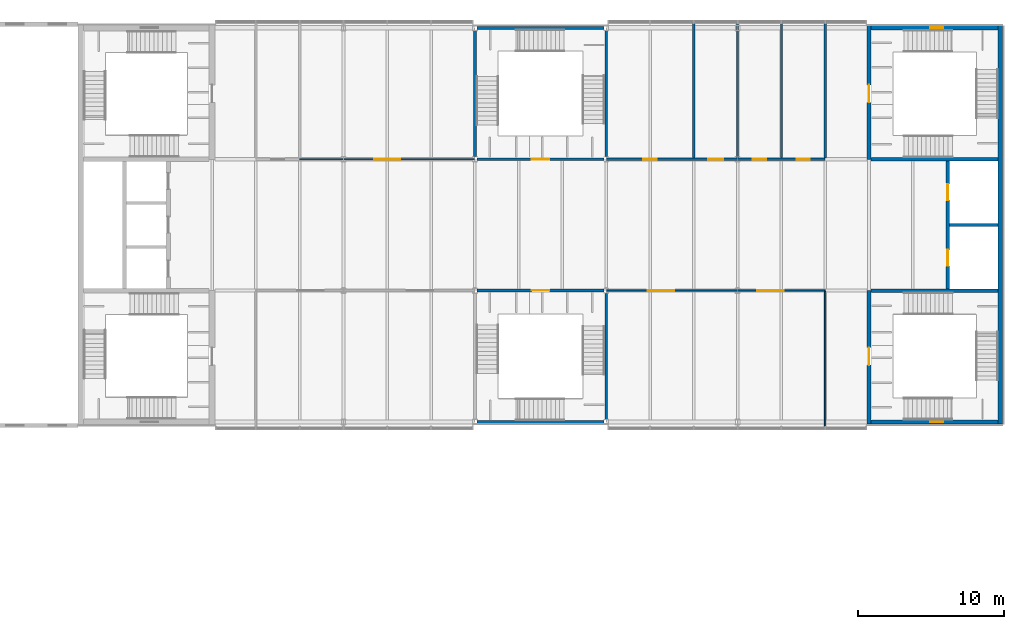
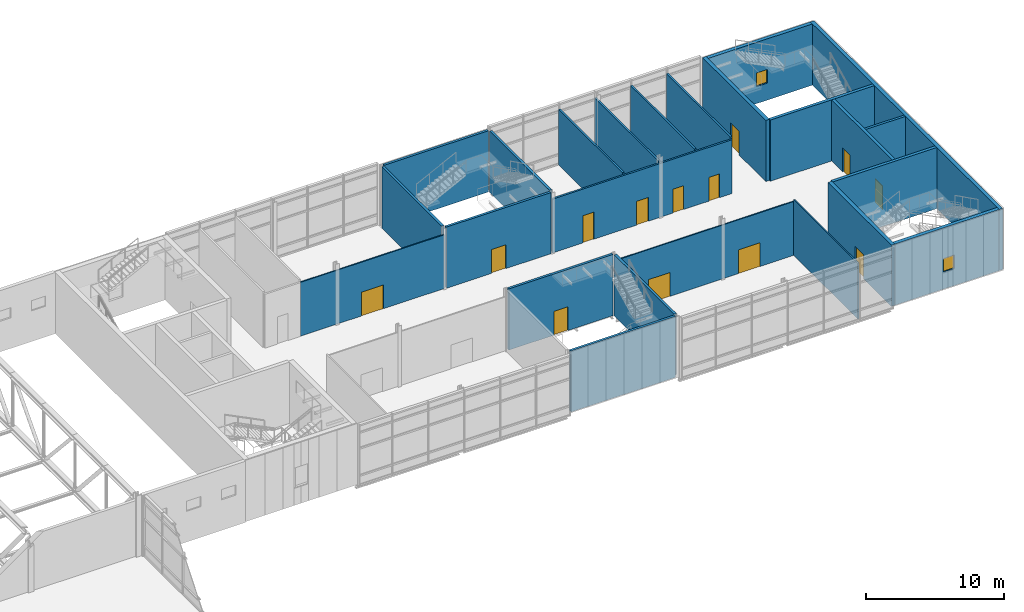
# One storey, part 41 of 53: 24 walls, 13 doors, 2 windows, 15 openings.
"""IFC4 building model written with IfcOpenShell, lengths in metres."""

import ifcopenshell
import ifcopenshell.guid

model = None  # the IFC model being written
_history = None  # IfcOwnerHistory: only IFC2X3 demands one
_inside = {}  # id of a spatial element -> (the spatial element, [elements in it])
_under = {}  # id of a project, library or spatial element -> (it, [spatial elements below it])
_declared = {}  # id of a project -> (the project, [libraries it declares])
_typed = {}  # id of a type object -> (the type object, [elements of that type])
_made_of = {}  # id of a material, layer set ... -> (it, [elements and type objects made of it])


def new_model(schema):
    """Start an empty IFC model of exactly this schema.

    Asked for "IFC4X3", IfcOpenShell would pick the latest addendum, in which some entities
    have other attributes; the version numbers below select the first issue.
    IFC2X3 requires an IfcOwnerHistory on every rooted entity: one is made here for all.
    """
    global model, _history
    if schema == "IFC4X3":
        model = ifcopenshell.file(schema_version=(4, 3, 0, 0))
    else:
        model = ifcopenshell.file(schema=schema)
    _inside.clear()
    _under.clear()
    _declared.clear()
    _typed.clear()
    _made_of.clear()
    _history = None
    if model.schema == "IFC2X3":
        org = make("IfcOrganization", Name="unknown")
        user = make(
            "IfcPersonAndOrganization",
            ThePerson=make("IfcPerson", FamilyName="unknown"),
            TheOrganization=org,
        )
        app = make(
            "IfcApplication",
            ApplicationDeveloper=org,
            Version="unknown",
            ApplicationFullName="unknown",
            ApplicationIdentifier="unknown",
        )
        _history = make(
            "IfcOwnerHistory",
            OwningUser=user,
            OwningApplication=app,
            ChangeAction="ADDED",
            CreationDate=0,
        )
    return model


def make(cls, **values):
    """One entity of the class cls with the attributes given. An attribute that is None is left unset."""
    return model.create_entity(
        cls, **{name: value for name, value in values.items() if value is not None}
    )


def rooted(cls, **values):
    """An entity with a GlobalId (a new one), such as an element, a storey or a relation."""
    return make(cls, GlobalId=ifcopenshell.guid.new(), OwnerHistory=_history, **values)


def si_unit(unit_type, name, prefix=None):
    """IfcSIUnit, for example si_unit("LENGTHUNIT", "METRE", prefix="MILLI")."""
    return make("IfcSIUnit", UnitType=unit_type, Prefix=prefix, Name=name)


def assignment(units):
    """IfcUnitAssignment: the units of a project."""
    return None if units is None else make("IfcUnitAssignment", Units=units)


def point(xyz):
    """IfcCartesianPoint."""
    return None if xyz is None else make("IfcCartesianPoint", Coordinates=xyz)


def direction(xyz):
    """IfcDirection."""
    return None if xyz is None else make("IfcDirection", DirectionRatios=xyz)


def frame(location, z_axis=None, x_axis=None):
    """IfcAxis2Placement3D, a coordinate frame: its origin and axes. An axis left out is left unset."""
    return make(
        "IfcAxis2Placement3D",
        Location=point(location),
        Axis=direction(z_axis),
        RefDirection=direction(x_axis),
    )


def frame_2d(location, x_axis=None):
    """IfcAxis2Placement2D, a coordinate frame in the plane: its origin and x axis."""
    return make(
        "IfcAxis2Placement2D", Location=point(location), RefDirection=direction(x_axis)
    )


def origin():
    """The frame at (0, 0, 0) with its axes left unset."""
    return frame((0.0, 0.0, 0.0))


def place(relative_to, where):
    """IfcLocalPlacement: puts the frame where relative to a parent placement (None: the world)."""
    return make(
        "IfcLocalPlacement", PlacementRelTo=relative_to, RelativePlacement=where
    )


def context(
    kind, dimensions, precision=None, world=None, true_north=None, identifier=None
):
    """IfcGeometricRepresentationContext, for example the 3D "Model" context."""
    return make(
        "IfcGeometricRepresentationContext",
        ContextIdentifier=identifier,
        ContextType=kind,
        CoordinateSpaceDimension=dimensions,
        Precision=precision,
        WorldCoordinateSystem=world,
        TrueNorth=true_north,
    )


def subcontext(parent, identifier, kind, view, scale=None):
    """IfcGeometricRepresentationSubContext, for example "Body" below "Model"."""
    return make(
        "IfcGeometricRepresentationSubContext",
        ContextIdentifier=identifier,
        ContextType=kind,
        ParentContext=parent,
        TargetScale=scale,
        TargetView=view,
    )


def project(units=None, contexts=None):
    """IfcProject with its units and contexts."""
    return rooted(
        "IfcProject",
        Name="project",
        RepresentationContexts=contexts,
        UnitsInContext=assignment(units),
    )


def spatial(cls, under=None, at=None, **own):
    """A site, building, storey or space (cls), placed at a placement, below another one or the project."""
    s = rooted(cls, ObjectPlacement=at, **own)
    if under is not None:
        _under.setdefault(under.id(), (under, []))[1].append(s)
    return s


def profile(cls, at=None, kind="AREA", **sizes):
    """A parametric profile (cls). Its sizes go by their IFC names, for example OverallWidth=200.0."""
    return make(cls, ProfileType=kind, Position=at, **sizes)


def rectangle(**sizes):
    """IfcRectangleProfileDef."""
    return profile("IfcRectangleProfileDef", **sizes)


def extrude(swept, where, along, depth):
    """IfcExtrudedAreaSolid: the profile swept, set in the frame where, extruded along a direction by depth."""
    return make(
        "IfcExtrudedAreaSolid",
        SweptArea=swept,
        Position=where,
        ExtrudedDirection=direction(along),
        Depth=depth,
    )


def shape(context_of_items, identifier, shape_type, items):
    """IfcShapeRepresentation: the items that make up one representation, for example the "Body"."""
    return make(
        "IfcShapeRepresentation",
        ContextOfItems=context_of_items,
        RepresentationIdentifier=identifier,
        RepresentationType=shape_type,
        Items=items,
    )


def material(Name=None, Category=None):
    """IfcMaterial."""
    return make("IfcMaterial", Name=Name, Category=Category)


def layer(
    of_material, thickness, ventilated=None, Name=None, Category=None, Priority=None
):
    """IfcMaterialLayer: one layer of a wall or slab, of a material (None: an air gap)."""
    return make(
        "IfcMaterialLayer",
        Material=of_material,
        LayerThickness=thickness,
        IsVentilated=ventilated,
        Name=Name,
        Category=Category,
        Priority=Priority,
    )


def layer_set(layers, Name=None):
    """IfcMaterialLayerSet."""
    return make("IfcMaterialLayerSet", MaterialLayers=layers, LayerSetName=Name)


def made_of(thing, what):
    """Note that an element or type object is made of a material, layer set ...; save() writes the relation."""
    if what is not None:
        _made_of.setdefault(what.id(), (what, []))[1].append(thing)
    return thing


def type_object(cls, material=None, **own):
    """A type object (cls), such as IfcWallType, which elements share."""
    return made_of(rooted(cls, **own), material)


def element(
    cls,
    number,
    at=None,
    inside=None,
    cuts=None,
    type_object=None,
    material=None,
    context=None,
    identifier="Body",
    shape_type=None,
    held_by="IfcProductDefinitionShape",
    body=None,
    shapes=None,
    **own,
):
    """One element of the class cls, such as IfcWall. Its Tag is "e" and its number.

    at: its placement. inside: the storey or other place that contains it. cuts: it is an
    opening in that element (IfcRelVoidsElement). A single representation is given by context,
    identifier, shape_type and body (its items); several are given by shapes. held_by: the class
    of the entity that holds the representations. save() writes the other relations.
    """
    e = rooted(cls, Tag="e%d" % number, ObjectPlacement=at, **own)
    if body is not None:
        shapes = [shape(context, identifier, shape_type, body)]
    if shapes is not None:
        e.Representation = make(held_by, Representations=shapes)
    if inside is not None:
        _inside.setdefault(inside.id(), (inside, []))[1].append(e)
    if cuts is not None:
        rooted(
            "IfcRelVoidsElement", RelatingBuildingElement=cuts, RelatedOpeningElement=e
        )
    if type_object is not None:
        _typed.setdefault(type_object.id(), (type_object, []))[1].append(e)
    return made_of(e, material)


def fill(opening, filler):
    """IfcRelFillsElement: the door or window that sits in an opening."""
    return rooted(
        "IfcRelFillsElement",
        RelatingOpeningElement=opening,
        RelatedBuildingElement=filler,
    )


def aggregate(whole, parts):
    """IfcRelAggregates: a whole, such as a stair, and the parts it consists of."""
    return rooted("IfcRelAggregates", RelatingObject=whole, RelatedObjects=parts)


def save(model, path):
    """Write the relations noted so far, then the file.

    IfcRelAggregates (storeys below a building ...), IfcRelContainedInSpatialStructure (elements
    in a storey), IfcRelDefinesByType, IfcRelAssociatesMaterial and IfcRelDeclares: one each for
    every whole, place, type object, material and project.
    """
    for whole, parts in _under.values():
        aggregate(whole, parts)
    for where, things in _inside.values():
        rooted(
            "IfcRelContainedInSpatialStructure",
            RelatedElements=things,
            RelatingStructure=where,
        )
    for kind, things in _typed.values():
        rooted("IfcRelDefinesByType", RelatedObjects=things, RelatingType=kind)
    for what, things in _made_of.values():
        rooted("IfcRelAssociatesMaterial", RelatedObjects=things, RelatingMaterial=what)
    for by, libraries in _declared.values():
        rooted("IfcRelDeclares", RelatingContext=by, RelatedDefinitions=libraries)
    model.write(path)


model = new_model("IFC4")

# Units and contexts
model_context = context("Model", 3, precision=1e-05, world=origin(), true_north=direction((0.0, 1.0)))
body_context = subcontext(model_context, "Body", "Model", "MODEL_VIEW")
ifc_project = project(units=[si_unit("LENGTHUNIT", "METRE"), si_unit("AREAUNIT", "SQUARE_METRE"), si_unit("VOLUMEUNIT", "CUBIC_METRE"), si_unit("PLANEANGLEUNIT", "RADIAN"), si_unit("MASSUNIT", "GRAM", prefix="KILO")], contexts=[model_context])

# Site, building, storey
site_placement = place(None, origin())
site = spatial("IfcSite", under=ifc_project, at=site_placement, CompositionType="ELEMENT")
building_placement = place(site_placement, origin())
building = spatial("IfcBuilding", under=site, at=building_placement, Name="Azimuth Sports and Learning Centre", CompositionType="ELEMENT")
storey_placement = place(building_placement, frame((0.0, 0.0, 10.800048828125)))
storey = spatial("IfcBuildingStorey", under=building, at=storey_placement, Name="L02", CompositionType="ELEMENT", Elevation=10.800048828125)

# Wall
ifc_material_1 = material(Name="Dense masonry blockwork", Category="masonry")
ifc_layer_1 = layer(ifc_material_1, 0.199951171875)
ifc_layer_set_1 = layer_set([ifc_layer_1], Name="Dense masonry blockwork")
wall_type_1 = type_object("IfcWallType", Name="Blockwork wall 200 EI 120", PredefinedType="SOLIDWALL", material=ifc_layer_set_1)
wall_1_placement = place(storey_placement, frame((167.52490234375, 103.5, 0.0), z_axis=(0.0, 0.0, 1.0), x_axis=(1.0, 0.0, 0.0)))
element("IfcWall", 1, at=wall_1_placement, inside=storey, type_object=wall_type_1, Name="SD-EW-1-L02", PredefinedType="SOLIDWALL", context=body_context, shape_type="SweptSolid", body=[
    extrude(rectangle(XDim=3.3251953125, YDim=0.199951171875, at=frame_2d((1.66259765625, 0.0))), origin(), (0.0, 0.0, 1.0), 5.39990234375),
])

# Wall, openings, doors
ifc_material_2 = material(Name="Gypsum board on steel studs", Category="steel")
ifc_layer_2 = layer(ifc_material_2, 0.10009765625)
ifc_layer_set_2 = layer_set([ifc_layer_2], Name="Gypsum board on steel studs")
wall_type_2 = type_object("IfcWallType", Name="Partition 100 EI 30", PredefinedType="PARTITIONING", material=ifc_layer_set_2)
wall_2_placement = place(storey_placement, frame((144.0, 99.0, 0.0), z_axis=(0.0, 0.0, 1.0), x_axis=(1.0, 0.0, 0.0)))
wall_2 = element("IfcWall", 2, at=wall_2_placement, inside=storey, type_object=wall_type_2, Name="Partition 100 EI 30", PredefinedType="PARTITIONING", context=body_context, shape_type="SweptSolid", body=[
    extrude(rectangle(XDim=15.0, YDim=0.10009765625, at=frame_2d((7.5, 0.0))), origin(), (0.0, 0.0, 1.0), 4.75),
])
opening_1_placement = place(wall_2_placement, frame((2.85009765625, 0.0, 0.0)))
opening_1 = element("IfcOpeningElement", 3, at=opening_1_placement, cuts=wall_2, Name="Opening D02-041", PredefinedType="OPENING", context=body_context, shape_type="SweptSolid", body=[
    extrude(rectangle(XDim=1.800048828125, YDim=2.10009765625, at=frame_2d((0.89990234375, 1.050048828125))), frame((0.0, 0.06103515625, 0.0), z_axis=(0.0, -1.0, 0.0), x_axis=(1.0, 0.0, 0.0)), (0.0, 0.0, 1.0), 0.1220703125),
])
opening_2_placement = place(wall_2_placement, frame((10.35009765625, 0.0, 0.0)))
opening_2 = element("IfcOpeningElement", 4, at=opening_2_placement, cuts=wall_2, Name="Opening D02-042", PredefinedType="OPENING", context=body_context, shape_type="SweptSolid", body=[
    extrude(rectangle(XDim=1.800048828125, YDim=2.10009765625, at=frame_2d((0.89990234375, 1.050048828125))), frame((0.0, 0.06103515625, 0.0), z_axis=(0.0, -1.0, 0.0), x_axis=(1.0, 0.0, 0.0)), (0.0, 0.0, 1.0), 0.1220703125),
])
ifc_material_3 = material(Name="Timber fire door set", Category="wood")
door_type_1 = type_object("IfcDoorType", Name="Timber door double 1800x2100 FD30S", OperationType="DOUBLE_DOOR_SINGLE_SWING", PredefinedType="DOOR", material=ifc_material_3)
door_1_placement = place(opening_1_placement, frame((1.800048828125, 0.0, 0.0), z_axis=(0.0, 0.0, 1.0), x_axis=(-1.0, 0.0, 0.0)))
door_1 = element("IfcDoor", 5, at=door_1_placement, inside=storey, type_object=door_type_1, Name="Door D02-041", OperationType="DOUBLE_DOOR_SINGLE_SWING", OverallHeight=2.10009765625, OverallWidth=1.800048828125, PredefinedType="DOOR", context=body_context, shape_type="SweptSolid", body=[
    extrude(rectangle(XDim=1.800048828125, YDim=2.10009765625, at=frame_2d((0.89990234375, 1.050048828125))), frame((0.0, 0.02490234375, 0.0), z_axis=(0.0, -1.0, 0.0), x_axis=(1.0, 0.0, 0.0)), (0.0, 0.0, 1.0), 0.050048828125),
])
fill(opening_1, door_1)
door_2_placement = place(opening_2_placement, frame((1.800048828125, 0.0, 0.0), z_axis=(0.0, 0.0, 1.0), x_axis=(-1.0, 0.0, 0.0)))
door_2 = element("IfcDoor", 6, at=door_2_placement, inside=storey, type_object=door_type_1, Name="Door D02-042", OperationType="DOUBLE_DOOR_SINGLE_SWING", OverallHeight=2.10009765625, OverallWidth=1.800048828125, PredefinedType="DOOR", context=body_context, shape_type="SweptSolid", body=[
    extrude(rectangle(XDim=1.800048828125, YDim=2.10009765625, at=frame_2d((0.89990234375, 1.050048828125))), frame((0.0, 0.02490234375, 0.0), z_axis=(0.0, -1.0, 0.0), x_axis=(1.0, 0.0, 0.0)), (0.0, 0.0, 1.0), 0.050048828125),
])
fill(opening_2, door_2)

# Wall, opening, door
wall_3_placement = place(storey_placement, frame((123.0, 108.0, 0.0), z_axis=(0.0, 0.0, 1.0), x_axis=(1.0, 0.0, 0.0)))
wall_3 = element("IfcWall", 7, at=wall_3_placement, inside=storey, type_object=wall_type_2, Name="Partition 100 EI 30", PredefinedType="PARTITIONING", context=body_context, shape_type="SweptSolid", body=[
    extrude(rectangle(XDim=12.0, YDim=0.10009765625, at=frame_2d((6.0, 0.0))), origin(), (0.0, 0.0, 1.0), 4.75),
])
opening_3_placement = place(wall_3_placement, frame((5.10009765625, 0.0, 0.0)))
opening_3 = element("IfcOpeningElement", 8, at=opening_3_placement, cuts=wall_3, Name="Opening D02-049", PredefinedType="OPENING", context=body_context, shape_type="SweptSolid", body=[
    extrude(rectangle(XDim=1.800048828125, YDim=2.10009765625, at=frame_2d((0.89990234375, 1.050048828125))), frame((0.0, 0.06103515625, 0.0), z_axis=(0.0, -1.0, 0.0), x_axis=(1.0, 0.0, 0.0)), (0.0, 0.0, 1.0), 0.1220703125),
])
door_3_placement = place(opening_3_placement, origin())
door_3 = element("IfcDoor", 9, at=door_3_placement, inside=storey, type_object=door_type_1, Name="Door D02-049", OperationType="DOUBLE_DOOR_SINGLE_SWING", OverallHeight=2.10009765625, OverallWidth=1.800048828125, PredefinedType="DOOR", context=body_context, shape_type="SweptSolid", body=[
    extrude(rectangle(XDim=1.800048828125, YDim=2.10009765625, at=frame_2d((0.89990234375, 1.050048828125))), frame((0.0, 0.02490234375, 0.0), z_axis=(0.0, -1.0, 0.0), x_axis=(1.0, 0.0, 0.0)), (0.0, 0.0, 1.0), 0.050048828125),
])
fill(opening_3, door_3)

# Wall
wall_4_placement = place(storey_placement, frame((159.0, 89.699951171875, 0.0), z_axis=(0.0, 0.0, 1.0), x_axis=(0.0, 1.0, 0.0)))
element("IfcWall", 10, at=wall_4_placement, inside=storey, type_object=wall_type_2, Name="Partition 100 EI 30", PredefinedType="PARTITIONING", context=body_context, shape_type="SweptSolid", body=[
    extrude(rectangle(XDim=9.25, YDim=0.10009765625, at=frame_2d((4.625, 0.0))), origin(), (0.0, 0.0, 1.0), 4.919921875),
])

# Wall, openings, doors
ifc_material_4 = material(Name="Lightweight blockwork, rendered", Category="masonry")
ifc_layer_3 = layer(ifc_material_4, 0.14990234375)
ifc_layer_set_3 = layer_set([ifc_layer_3], Name="Lightweight blockwork, rendered")
wall_type_3 = type_object("IfcWallType", Name="Partition 150 EI 60", PredefinedType="PARTITIONING", material=ifc_layer_set_3)
wall_5_placement = place(storey_placement, frame((144.0, 108.0, 0.0), z_axis=(0.0, 0.0, 1.0), x_axis=(1.0, 0.0, 0.0)))
wall_5 = element("IfcWall", 11, at=wall_5_placement, inside=storey, type_object=wall_type_3, Name="Partition 150 EI 60", PredefinedType="PARTITIONING", context=body_context, shape_type="SweptSolid", body=[
    extrude(rectangle(XDim=15.0, YDim=0.14990234375, at=frame_2d((7.5, 0.0))), origin(), (0.0, 0.0, 1.0), 4.75),
])
opening_4_placement = place(wall_5_placement, frame((13.050048828125, 0.0, 0.0)))
opening_4 = element("IfcOpeningElement", 12, at=opening_4_placement, cuts=wall_5, Name="Opening D02-045", PredefinedType="OPENING", context=body_context, shape_type="SweptSolid", body=[
    extrude(rectangle(XDim=0.89990234375, YDim=2.10009765625, at=frame_2d((0.449951171875, 1.050048828125))), frame((0.0, 0.0859375, 0.0), z_axis=(0.0, -1.0, 0.0), x_axis=(1.0, 0.0, 0.0)), (0.0, 0.0, 1.0), 0.171875),
])
opening_5_placement = place(wall_5_placement, frame((10.050048828125, 0.0, 0.0)))
opening_5 = element("IfcOpeningElement", 13, at=opening_5_placement, cuts=wall_5, Name="Opening D02-046", PredefinedType="OPENING", context=body_context, shape_type="SweptSolid", body=[
    extrude(rectangle(XDim=0.89990234375, YDim=2.10009765625, at=frame_2d((0.449951171875, 1.050048828125))), frame((0.0, 0.0859375, 0.0), z_axis=(0.0, -1.0, 0.0), x_axis=(1.0, 0.0, 0.0)), (0.0, 0.0, 1.0), 0.171875),
])
opening_6_placement = place(wall_5_placement, frame((7.0, 0.0, 0.0)))
opening_6 = element("IfcOpeningElement", 14, at=opening_6_placement, cuts=wall_5, Name="Opening D02-047", PredefinedType="OPENING", context=body_context, shape_type="SweptSolid", body=[
    extrude(rectangle(XDim=1.0, YDim=2.10009765625, at=frame_2d((0.5, 1.050048828125))), frame((0.0, 0.0859375, 0.0), z_axis=(0.0, -1.0, 0.0), x_axis=(1.0, 0.0, 0.0)), (0.0, 0.0, 1.0), 0.171875),
])
opening_7_placement = place(wall_5_placement, frame((2.550048828125, 0.0, 0.0)))
opening_7 = element("IfcOpeningElement", 15, at=opening_7_placement, cuts=wall_5, Name="Opening D02-048", PredefinedType="OPENING", context=body_context, shape_type="SweptSolid", body=[
    extrude(rectangle(XDim=0.89990234375, YDim=2.39990234375, at=frame_2d((0.449951171875, 1.199951171875))), frame((0.0, 0.0859375, 0.0), z_axis=(0.0, -1.0, 0.0), x_axis=(1.0, 0.0, 0.0)), (0.0, 0.0, 1.0), 0.171875),
])
ifc_material_5 = material(Name="Timber fire door set", Category="wood")
door_type_2 = type_object("IfcDoorType", Name="Timber door single 1000x2100 FD60", OperationType="NOTDEFINED", PredefinedType="DOOR", material=ifc_material_5)
door_4_placement = place(opening_6_placement, origin())
door_4 = element("IfcDoor", 16, at=door_4_placement, inside=storey, type_object=door_type_2, Name="Door D02-047", OperationType="SINGLE_SWING_LEFT", OverallHeight=2.10009765625, OverallWidth=1.0, PredefinedType="DOOR", context=body_context, shape_type="SweptSolid", body=[
    extrude(rectangle(XDim=1.0, YDim=2.10009765625, at=frame_2d((0.5, 1.050048828125))), frame((0.0, 0.02490234375, 0.0), z_axis=(0.0, -1.0, 0.0), x_axis=(1.0, 0.0, 0.0)), (0.0, 0.0, 1.0), 0.050048828125),
])
fill(opening_6, door_4)
ifc_material_6 = material(Name="Timber fire door set", Category="wood")
door_type_3 = type_object("IfcDoorType", Name="Timber door single 900x2100 FD60", OperationType="NOTDEFINED", PredefinedType="DOOR", material=ifc_material_6)
door_5_placement = place(opening_4_placement, origin())
door_5 = element("IfcDoor", 17, at=door_5_placement, inside=storey, type_object=door_type_3, Name="Door D02-045", OperationType="SINGLE_SWING_RIGHT", OverallHeight=2.10009765625, OverallWidth=0.89990234375, PredefinedType="DOOR", context=body_context, shape_type="SweptSolid", body=[
    extrude(rectangle(XDim=0.89990234375, YDim=2.10009765625, at=frame_2d((0.449951171875, 1.050048828125))), frame((0.0, 0.02490234375, 0.0), z_axis=(0.0, -1.0, 0.0), x_axis=(1.0, 0.0, 0.0)), (0.0, 0.0, 1.0), 0.050048828125),
])
fill(opening_4, door_5)
door_6_placement = place(opening_5_placement, origin())
door_6 = element("IfcDoor", 18, at=door_6_placement, inside=storey, type_object=door_type_3, Name="Door D02-046", OperationType="SINGLE_SWING_RIGHT", OverallHeight=2.10009765625, OverallWidth=0.89990234375, PredefinedType="DOOR", context=body_context, shape_type="SweptSolid", body=[
    extrude(rectangle(XDim=0.89990234375, YDim=2.10009765625, at=frame_2d((0.449951171875, 1.050048828125))), frame((0.0, 0.02490234375, 0.0), z_axis=(0.0, -1.0, 0.0), x_axis=(1.0, 0.0, 0.0)), (0.0, 0.0, 1.0), 0.050048828125),
])
fill(opening_5, door_6)
ifc_material_7 = material(Name="Timber fire door set", Category="wood")
door_type_4 = type_object("IfcDoorType", Name="Timber door single 900x2400 FD60", OperationType="NOTDEFINED", PredefinedType="DOOR", material=ifc_material_7)
door_7_placement = place(opening_7_placement, origin())
door_7 = element("IfcDoor", 19, at=door_7_placement, inside=storey, type_object=door_type_4, Name="Door D02-048", OperationType="SINGLE_SWING_LEFT", OverallHeight=2.39990234375, OverallWidth=0.89990234375, PredefinedType="DOOR", context=body_context, shape_type="SweptSolid", body=[
    extrude(rectangle(XDim=0.89990234375, YDim=2.39990234375, at=frame_2d((0.449951171875, 1.199951171875))), frame((0.0, 0.02490234375, 0.0), z_axis=(0.0, -1.0, 0.0), x_axis=(1.0, 0.0, 0.0)), (0.0, 0.0, 1.0), 0.050048828125),
])
fill(opening_7, door_7)

# Walls
wall_6_placement = place(storey_placement, frame((150.0, 108.074951171875, 0.0), z_axis=(0.0, 0.0, 1.0), x_axis=(0.0, 1.0, 0.0)))
element("IfcWall", 20, at=wall_6_placement, inside=storey, type_object=wall_type_3, Name="Partition 150 EI 60", PredefinedType="PARTITIONING", context=body_context, shape_type="SweptSolid", body=[
    extrude(rectangle(XDim=9.22509765625, YDim=0.14990234375, at=frame_2d((4.612548828125, 0.0))), origin(), (0.0, 0.0, 1.0), 4.919921875),
])
wall_7_placement = place(storey_placement, frame((153.0, 108.074951171875, 0.0), z_axis=(0.0, 0.0, 1.0), x_axis=(0.0, 1.0, 0.0)))
element("IfcWall", 21, at=wall_7_placement, inside=storey, type_object=wall_type_3, Name="Partition 150 EI 60", PredefinedType="PARTITIONING", context=body_context, shape_type="SweptSolid", body=[
    extrude(rectangle(XDim=9.22509765625, YDim=0.14990234375, at=frame_2d((4.612548828125, 0.0))), origin(), (0.0, 0.0, 1.0), 4.889892578125),
])
for number, where, z_axis, x_axis, name in (
    (22, (156.0, 108.074951171875, 0.0), (0.0, 0.0, 1.0), (0.0, 1.0, 0.0), "Partition 150 EI 60"),
    (23, (159.0, 108.074951171875, 0.0), (0.0, 0.0, 1.0), (0.0, 1.0, 0.0), "Partition 150 EI 60"),
):
    element("IfcWall", number, at=place(storey_placement, frame(where, z_axis=z_axis, x_axis=x_axis)), inside=storey, type_object=wall_type_3, Name=name, PredefinedType="PARTITIONING", context=body_context, shape_type="SweptSolid", body=[
        extrude(rectangle(XDim=9.22509765625, YDim=0.14990234375, at=frame_2d((4.612548828125, 0.0))), origin(), (0.0, 0.0, 1.0), 4.919921875),
    ])

# Wall, opening, door
ifc_material_8 = material(Name="Concrete C40/50", Category="concrete")
ifc_layer_4 = layer(ifc_material_8, 0.199951171875)
ifc_layer_set_4 = layer_set([ifc_layer_4], Name="Concrete C40/50")
wall_type_4 = type_object("IfcWallType", Name="RC cell wall 200 EI 120", PredefinedType="SHEAR", material=ifc_layer_set_4)
wall_8_placement = place(storey_placement, frame((135.14990234375, 99.0, 0.0), z_axis=(0.0, 0.0, 1.0), x_axis=(1.0, 0.0, 0.0)))
wall_8 = element("IfcWall", 24, at=wall_8_placement, inside=storey, type_object=wall_type_4, Name="CE-EM1-N-L02", PredefinedType="SHEAR", context=body_context, shape_type="SweptSolid", body=[
    extrude(rectangle(XDim=8.7001953125, YDim=0.199951171875, at=frame_2d((4.35009765625, 0.0))), origin(), (0.0, 0.0, 1.0), 5.39990234375),
])
opening_8_placement = place(wall_8_placement, frame((3.75, 0.0, 0.0)))
opening_8 = element("IfcOpeningElement", 25, at=opening_8_placement, cuts=wall_8, Name="Opening D02-011", PredefinedType="OPENING", context=body_context, shape_type="SweptSolid", body=[
    extrude(rectangle(XDim=1.199951171875, YDim=2.10009765625, at=frame_2d((0.60009765625, 1.050048828125))), frame((0.0, 0.11083984375, 0.0), z_axis=(0.0, -1.0, 0.0), x_axis=(1.0, 0.0, 0.0)), (0.0, 0.0, 1.0), 0.221923828125),
])
ifc_material_9 = material(Name="Steel", Category="steel")
door_type_5 = type_object("IfcDoorType", Name="Stair fire door 1200 x 2100", OperationType="NOTDEFINED", PredefinedType="DOOR", material=ifc_material_9)
door_8_placement = place(opening_8_placement, origin())
door_8 = element("IfcDoor", 26, at=door_8_placement, inside=storey, type_object=door_type_5, Name="Stair door EM1 L02", OperationType="SINGLE_SWING_RIGHT", OverallHeight=2.10009765625, OverallWidth=1.199951171875, PredefinedType="DOOR", context=body_context, shape_type="SweptSolid", body=[
    extrude(rectangle(XDim=1.199951171875, YDim=2.10009765625, at=frame_2d((0.60009765625, 1.050048828125))), frame((0.0, 0.02490234375, 0.0), z_axis=(0.0, -1.0, 0.0), x_axis=(1.0, 0.0, 0.0)), (0.0, 0.0, 1.0), 0.050048828125),
])
fill(opening_8, door_8)

# Wall
wall_9_placement = place(storey_placement, frame((144.0, 90.179931640625, 0.0), z_axis=(0.0, 0.0, 1.0), x_axis=(0.0, 1.0, 0.0)))
element("IfcWall", 27, at=wall_9_placement, inside=storey, type_object=wall_type_4, Name="CE-EM1-E-L02", PredefinedType="SHEAR", context=body_context, shape_type="SweptSolid", body=[
    extrude(rectangle(XDim=8.64013671875, YDim=0.199951171875, at=frame_2d((4.320068359375, 0.0))), origin(), (0.0, 0.0, 1.0), 5.39990234375),
])

# Wall, opening, door
wall_10_placement = place(storey_placement, frame((135.14990234375, 108.0, 0.0), z_axis=(0.0, 0.0, 1.0), x_axis=(1.0, 0.0, 0.0)))
wall_10 = element("IfcWall", 28, at=wall_10_placement, inside=storey, type_object=wall_type_4, Name="CE-EM2-S-L02", PredefinedType="SHEAR", context=body_context, shape_type="SweptSolid", body=[
    extrude(rectangle(XDim=8.7001953125, YDim=0.199951171875, at=frame_2d((4.35009765625, 0.0))), origin(), (0.0, 0.0, 1.0), 5.39990234375),
])
opening_9_placement = place(wall_10_placement, frame((3.75, 0.0, 0.0)))
opening_9 = element("IfcOpeningElement", 29, at=opening_9_placement, cuts=wall_10, Name="Opening D02-012", PredefinedType="OPENING", context=body_context, shape_type="SweptSolid", body=[
    extrude(rectangle(XDim=1.199951171875, YDim=2.10009765625, at=frame_2d((0.60009765625, 1.050048828125))), frame((0.0, 0.11083984375, 0.0), z_axis=(0.0, -1.0, 0.0), x_axis=(1.0, 0.0, 0.0)), (0.0, 0.0, 1.0), 0.221923828125),
])
door_9_placement = place(opening_9_placement, frame((1.199951171875, 0.0, 0.0), z_axis=(0.0, 0.0, 1.0), x_axis=(-1.0, 0.0, 0.0)))
door_9 = element("IfcDoor", 30, at=door_9_placement, inside=storey, type_object=door_type_5, Name="Stair door EM2 L02", OperationType="SINGLE_SWING_LEFT", OverallHeight=2.10009765625, OverallWidth=1.199951171875, PredefinedType="DOOR", context=body_context, shape_type="SweptSolid", body=[
    extrude(rectangle(XDim=1.199951171875, YDim=2.10009765625, at=frame_2d((0.60009765625, 1.050048828125))), frame((0.0, 0.02490234375, 0.0), z_axis=(0.0, -1.0, 0.0), x_axis=(1.0, 0.0, 0.0)), (0.0, 0.0, 1.0), 0.050048828125),
])
fill(opening_9, door_9)

# Walls
for number, where, z_axis, x_axis, name in (
    (31, (135.0, 108.179931640625, 0.0), (0.0, 0.0, 1.0), (0.0, 1.0, 0.0), "CE-EM2-W-L02"),
    (32, (144.0, 108.179931640625, 0.0), (0.0, 0.0, 1.0), (0.0, 1.0, 0.0), "CE-EM2-E-L02"),
):
    element("IfcWall", number, at=place(storey_placement, frame(where, z_axis=z_axis, x_axis=x_axis)), inside=storey, type_object=wall_type_4, Name=name, PredefinedType="SHEAR", context=body_context, shape_type="SweptSolid", body=[
        extrude(rectangle(XDim=8.64013671875, YDim=0.199951171875, at=frame_2d((4.320068359375, 0.0))), origin(), (0.0, 0.0, 1.0), 5.39990234375),
    ])
ifc_material_10 = material(Name="Concrete C40/50", Category="concrete")
ifc_layer_5 = layer(ifc_material_10, 0.25)
ifc_layer_set_5 = layer_set([ifc_layer_5], Name="Concrete C40/50")
wall_type_5 = type_object("IfcWallType", Name="RC core wall 250", PredefinedType="SHEAR", material=ifc_layer_set_5)
for number, where, z_axis, x_axis, name in (
    (33, (162.14990234375, 99.0, 0.0), (0.0, 0.0, 1.0), (1.0, 0.0, 0.0), "Core wall EW D1 L02"),
    (34, (162.14990234375, 108.0, 0.0), (0.0, 0.0, 1.0), (1.0, 0.0, 0.0), "Core wall EW D2 L02"),
):
    element("IfcWall", number, at=place(storey_placement, frame(where, z_axis=z_axis, x_axis=x_axis)), inside=storey, type_object=wall_type_5, Name=name, PredefinedType="SHEAR", context=body_context, shape_type="SweptSolid", body=[
        extrude(rectangle(XDim=8.7001953125, YDim=0.25, at=frame_2d((4.35009765625, 0.0))), origin(), (0.0, 0.0, 1.0), 5.39990234375),
    ])

# Wall, openings, doors
wall_11_placement = place(storey_placement, frame((167.39990234375, 99.125, 0.0), z_axis=(0.0, 0.0, 1.0), x_axis=(0.0, 1.0, 0.0)))
wall_11 = element("IfcWall", 35, at=wall_11_placement, inside=storey, type_object=wall_type_5, Name="Core wall EW LB1 L02", PredefinedType="SHEAR", context=body_context, shape_type="SweptSolid", body=[
    extrude(rectangle(XDim=8.75, YDim=0.25, at=frame_2d((4.375, 0.0))), origin(), (0.0, 0.0, 1.0), 5.39990234375),
])
opening_10_placement = place(wall_11_placement, frame((1.574951171875, 0.0, 0.0)))
opening_10 = element("IfcOpeningElement", 36, at=opening_10_placement, cuts=wall_11, Name="Opening D02-027", PredefinedType="OPENING", context=body_context, shape_type="SweptSolid", body=[
    extrude(rectangle(XDim=1.10009765625, YDim=2.10009765625, at=frame_2d((0.550048828125, 1.050048828125))), frame((0.0, 0.135986328125, 0.0), z_axis=(0.0, -1.0, 0.0), x_axis=(1.0, 0.0, 0.0)), (0.0, 0.0, 1.0), 0.27197265625),
])
opening_11_placement = place(wall_11_placement, frame((6.074951171875, 0.0, 0.0)))
opening_11 = element("IfcOpeningElement", 37, at=opening_11_placement, cuts=wall_11, Name="Opening D02-028", PredefinedType="OPENING", context=body_context, shape_type="SweptSolid", body=[
    extrude(rectangle(XDim=1.10009765625, YDim=2.10009765625, at=frame_2d((0.550048828125, 1.050048828125))), frame((0.0, 0.135986328125, 0.0), z_axis=(0.0, -1.0, 0.0), x_axis=(1.0, 0.0, 0.0)), (0.0, 0.0, 1.0), 0.27197265625),
])
ifc_material_11 = material(Name="Stainless steel", Category="steel")
door_type_6 = type_object("IfcDoorType", Name="Lift landing door 1100 x 2100", OperationType="DOUBLE_DOOR_SLIDING", PredefinedType="DOOR", material=ifc_material_11)
door_10_placement = place(opening_10_placement, origin())
door_10 = element("IfcDoor", 38, at=door_10_placement, inside=storey, type_object=door_type_6, Name="Landing door LEW1 L02", OperationType="DOUBLE_DOOR_SLIDING", OverallHeight=2.10009765625, OverallWidth=1.10009765625, PredefinedType="DOOR", context=body_context, shape_type="SweptSolid", body=[
    extrude(rectangle(XDim=1.10009765625, YDim=2.10009765625, at=frame_2d((0.550048828125, 1.050048828125))), frame((0.0, 0.02490234375, 0.0), z_axis=(0.0, -1.0, 0.0), x_axis=(1.0, 0.0, 0.0)), (0.0, 0.0, 1.0), 0.050048828125),
])
fill(opening_10, door_10)
door_11_placement = place(opening_11_placement, origin())
door_11 = element("IfcDoor", 39, at=door_11_placement, inside=storey, type_object=door_type_6, Name="Landing door LEW2 L02", OperationType="DOUBLE_DOOR_SLIDING", OverallHeight=2.10009765625, OverallWidth=1.10009765625, PredefinedType="DOOR", context=body_context, shape_type="SweptSolid", body=[
    extrude(rectangle(XDim=1.10009765625, YDim=2.10009765625, at=frame_2d((0.550048828125, 1.050048828125))), frame((0.0, 0.02490234375, 0.0), z_axis=(0.0, -1.0, 0.0), x_axis=(1.0, 0.0, 0.0)), (0.0, 0.0, 1.0), 0.050048828125),
])
fill(opening_11, door_11)

# Wall, opening, door
ifc_material_12 = material(Name="Concrete C40/50", Category="concrete")
ifc_layer_6 = layer(ifc_material_12, 0.300048828125)
ifc_layer_set_6 = layer_set([ifc_layer_6], Name="Concrete C40/50")
wall_type_6 = type_object("IfcWallType", Name="RC core wall 300", PredefinedType="SHEAR", material=ifc_layer_set_6)
wall_12_placement = place(storey_placement, frame((162.0, 89.85009765625, 0.0), z_axis=(0.0, 0.0, 1.0), x_axis=(0.0, 1.0, 0.0)))
wall_12 = element("IfcWall", 40, at=wall_12_placement, inside=storey, type_object=wall_type_6, Name="Core wall EW WS L02", PredefinedType="SHEAR", context=body_context, shape_type="SweptSolid", body=[
    extrude(rectangle(XDim=9.14990234375, YDim=0.300048828125, at=frame_2d((4.574951171875, 0.0))), origin(), (0.0, 0.0, 1.0), 5.39990234375),
])
opening_12_placement = place(wall_12_placement, frame((4.050048828125, 0.0, 0.0)))
opening_12 = element("IfcOpeningElement", 41, at=opening_12_placement, cuts=wall_12, Name="Opening D02-007", PredefinedType="OPENING", context=body_context, shape_type="SweptSolid", body=[
    extrude(rectangle(XDim=1.199951171875, YDim=2.10009765625, at=frame_2d((0.60009765625, 1.050048828125))), frame((0.0, 0.1611328125, 0.0), z_axis=(0.0, -1.0, 0.0), x_axis=(1.0, 0.0, 0.0)), (0.0, 0.0, 1.0), 0.322021484375),
])
door_12_placement = place(opening_12_placement, origin())
door_12 = element("IfcDoor", 42, at=door_12_placement, inside=storey, type_object=door_type_5, Name="Stair door EW1 L02", OperationType="SINGLE_SWING_RIGHT", OverallHeight=2.10009765625, OverallWidth=1.199951171875, PredefinedType="DOOR", context=body_context, shape_type="SweptSolid", body=[
    extrude(rectangle(XDim=1.199951171875, YDim=2.10009765625, at=frame_2d((0.60009765625, 1.050048828125))), frame((0.0, 0.02490234375, 0.0), z_axis=(0.0, -1.0, 0.0), x_axis=(1.0, 0.0, 0.0)), (0.0, 0.0, 1.0), 0.050048828125),
])
fill(opening_12, door_12)

wall_13_placement = place(storey_placement, frame((162.0, 108.0, 0.0), z_axis=(0.0, 0.0, 1.0), x_axis=(0.0, 1.0, 0.0)))
wall_13 = element("IfcWall", 43, at=wall_13_placement, inside=storey, type_object=wall_type_6, Name="Core wall EW WN L02", PredefinedType="SHEAR", context=body_context, shape_type="SweptSolid", body=[
    extrude(rectangle(XDim=9.14990234375, YDim=0.300048828125, at=frame_2d((4.574951171875, 0.0))), origin(), (0.0, 0.0, 1.0), 5.39990234375),
])
opening_13_placement = place(wall_13_placement, frame((3.89990234375, 0.0, 0.0)))
opening_13 = element("IfcOpeningElement", 44, at=opening_13_placement, cuts=wall_13, Name="Opening D02-008", PredefinedType="OPENING", context=body_context, shape_type="SweptSolid", body=[
    extrude(rectangle(XDim=1.199951171875, YDim=2.10009765625, at=frame_2d((0.60009765625, 1.050048828125))), frame((0.0, 0.1611328125, 0.0), z_axis=(0.0, -1.0, 0.0), x_axis=(1.0, 0.0, 0.0)), (0.0, 0.0, 1.0), 0.322021484375),
])
door_13_placement = place(opening_13_placement, origin())
door_13 = element("IfcDoor", 45, at=door_13_placement, inside=storey, type_object=door_type_5, Name="Stair door EW2 L02", OperationType="SINGLE_SWING_LEFT", OverallHeight=2.10009765625, OverallWidth=1.199951171875, PredefinedType="DOOR", context=body_context, shape_type="SweptSolid", body=[
    extrude(rectangle(XDim=1.199951171875, YDim=2.10009765625, at=frame_2d((0.60009765625, 1.050048828125))), frame((0.0, 0.02490234375, 0.0), z_axis=(0.0, -1.0, 0.0), x_axis=(1.0, 0.0, 0.0)), (0.0, 0.0, 1.0), 0.050048828125),
])
fill(opening_13, door_13)

# Walls
ifc_material_13 = material(Name="Concrete C40/50", Category="concrete")
ifc_layer_7 = layer(ifc_material_13, 0.199951171875)
ifc_layer_set_7 = layer_set([ifc_layer_7], Name="Concrete C40/50")
wall_type_7 = type_object("IfcWallType", Name="RC external cell wall 200 EI 120", PredefinedType="SHEAR", material=ifc_layer_set_7)
for number, where, z_axis, x_axis, name in (
    (46, (135.14990234375, 90.0, 0.0), (0.0, 0.0, 1.0), (1.0, 0.0, 0.0), "CE-EM1-S-L02"),
    (47, (135.14990234375, 117.0, 0.0), (0.0, 0.0, 1.0), (1.0, 0.0, 0.0), "CE-EM2-N-L02"),
):
    element("IfcWall", number, at=place(storey_placement, frame(where, z_axis=z_axis, x_axis=x_axis)), inside=storey, type_object=wall_type_7, Name=name, PredefinedType="SHEAR", context=body_context, shape_type="SweptSolid", body=[
        extrude(rectangle(XDim=8.7001953125, YDim=0.199951171875, at=frame_2d((4.35009765625, 0.0))), origin(), (0.0, 0.0, 1.0), 5.39990234375),
    ])

# Wall, opening, window
ifc_material_14 = material(Name="Concrete C40/50", Category="concrete")
ifc_layer_8 = layer(ifc_material_14, 0.300048828125)
ifc_layer_set_8 = layer_set([ifc_layer_8], Name="Concrete C40/50")
wall_type_8 = type_object("IfcWallType", Name="RC external core wall 300", PredefinedType="SHEAR", material=ifc_layer_set_8)
wall_14_placement = place(storey_placement, frame((162.14990234375, 90.0, 0.0), z_axis=(0.0, 0.0, 1.0), x_axis=(1.0, 0.0, 0.0)))
wall_14 = element("IfcWall", 48, at=wall_14_placement, inside=storey, type_object=wall_type_8, Name="Core wall EW S L02", PredefinedType="SHEAR", context=body_context, shape_type="SweptSolid", body=[
    extrude(rectangle(XDim=8.7001953125, YDim=0.300048828125, at=frame_2d((4.35009765625, 0.0))), origin(), (0.0, 0.0, 1.0), 5.39990234375),
])
opening_14_placement = place(wall_14_placement, frame((4.050048828125, 0.0, 1.5)))
opening_14 = element("IfcOpeningElement", 49, at=opening_14_placement, cuts=wall_14, Name="Opening W02-010", PredefinedType="OPENING", context=body_context, shape_type="SweptSolid", body=[
    extrude(rectangle(XDim=0.89990234375, YDim=1.199951171875, at=frame_2d((0.449951171875, 0.60009765625))), frame((0.0, 0.1611328125, 0.0), z_axis=(0.0, -1.0, 0.0), x_axis=(1.0, 0.0, 0.0)), (0.0, 0.0, 1.0), 0.322021484375),
])
ifc_material_15 = material(Name="Aluminium and glass", Category="aluminium")
window_type = type_object("IfcWindowType", Name="Stair window end core 900x1200", PartitioningType="SINGLE_PANEL", PredefinedType="WINDOW", material=ifc_material_15)
window_1_placement = place(opening_14_placement, origin())
window_1 = element("IfcWindow", 50, at=window_1_placement, inside=storey, type_object=window_type, Name="Window W02-010", OverallHeight=1.199951171875, OverallWidth=0.89990234375, PartitioningType="SINGLE_PANEL", PredefinedType="WINDOW", context=body_context, shape_type="SweptSolid", body=[
    extrude(rectangle(XDim=0.89990234375, YDim=1.199951171875, at=frame_2d((0.449951171875, 0.60009765625))), frame((0.0, 0.030029296875, 0.0), z_axis=(0.0, -1.0, 0.0), x_axis=(1.0, 0.0, 0.0)), (0.0, 0.0, 1.0), 0.06005859375),
])
fill(opening_14, window_1)

wall_15_placement = place(storey_placement, frame((162.14990234375, 117.0, 0.0), z_axis=(0.0, 0.0, 1.0), x_axis=(1.0, 0.0, 0.0)))
wall_15 = element("IfcWall", 51, at=wall_15_placement, inside=storey, type_object=wall_type_8, Name="Core wall EW N L02", PredefinedType="SHEAR", context=body_context, shape_type="SweptSolid", body=[
    extrude(rectangle(XDim=8.7001953125, YDim=0.300048828125, at=frame_2d((4.35009765625, 0.0))), origin(), (0.0, 0.0, 1.0), 5.39990234375),
])
opening_15_placement = place(wall_15_placement, frame((4.050048828125, 0.0, 1.5)))
opening_15 = element("IfcOpeningElement", 52, at=opening_15_placement, cuts=wall_15, Name="Opening W02-011", PredefinedType="OPENING", context=body_context, shape_type="SweptSolid", body=[
    extrude(rectangle(XDim=0.89990234375, YDim=1.199951171875, at=frame_2d((0.449951171875, 0.60009765625))), frame((0.0, 0.1611328125, 0.0), z_axis=(0.0, -1.0, 0.0), x_axis=(1.0, 0.0, 0.0)), (0.0, 0.0, 1.0), 0.322021484375),
])
window_2_placement = place(opening_15_placement, origin())
window_2 = element("IfcWindow", 53, at=window_2_placement, inside=storey, type_object=window_type, Name="Window W02-011", OverallHeight=1.199951171875, OverallWidth=0.89990234375, PartitioningType="SINGLE_PANEL", PredefinedType="WINDOW", context=body_context, shape_type="SweptSolid", body=[
    extrude(rectangle(XDim=0.89990234375, YDim=1.199951171875, at=frame_2d((0.449951171875, 0.60009765625))), frame((0.0, 0.030029296875, 0.0), z_axis=(0.0, -1.0, 0.0), x_axis=(1.0, 0.0, 0.0)), (0.0, 0.0, 1.0), 0.06005859375),
])
fill(opening_15, window_2)

# Wall
wall_16_placement = place(storey_placement, frame((171.0, 89.85009765625, 0.0), z_axis=(0.0, 0.0, 1.0), x_axis=(0.0, 1.0, 0.0)))
element("IfcWall", 54, at=wall_16_placement, inside=storey, type_object=wall_type_8, Name="Core wall EW E L02", PredefinedType="SHEAR", context=body_context, shape_type="SweptSolid", body=[
    extrude(rectangle(XDim=27.2998046875, YDim=0.300048828125, at=frame_2d((13.64990234375, 0.0))), origin(), (0.0, 0.0, 1.0), 5.39990234375),
])

save(model, "model.ifc")
